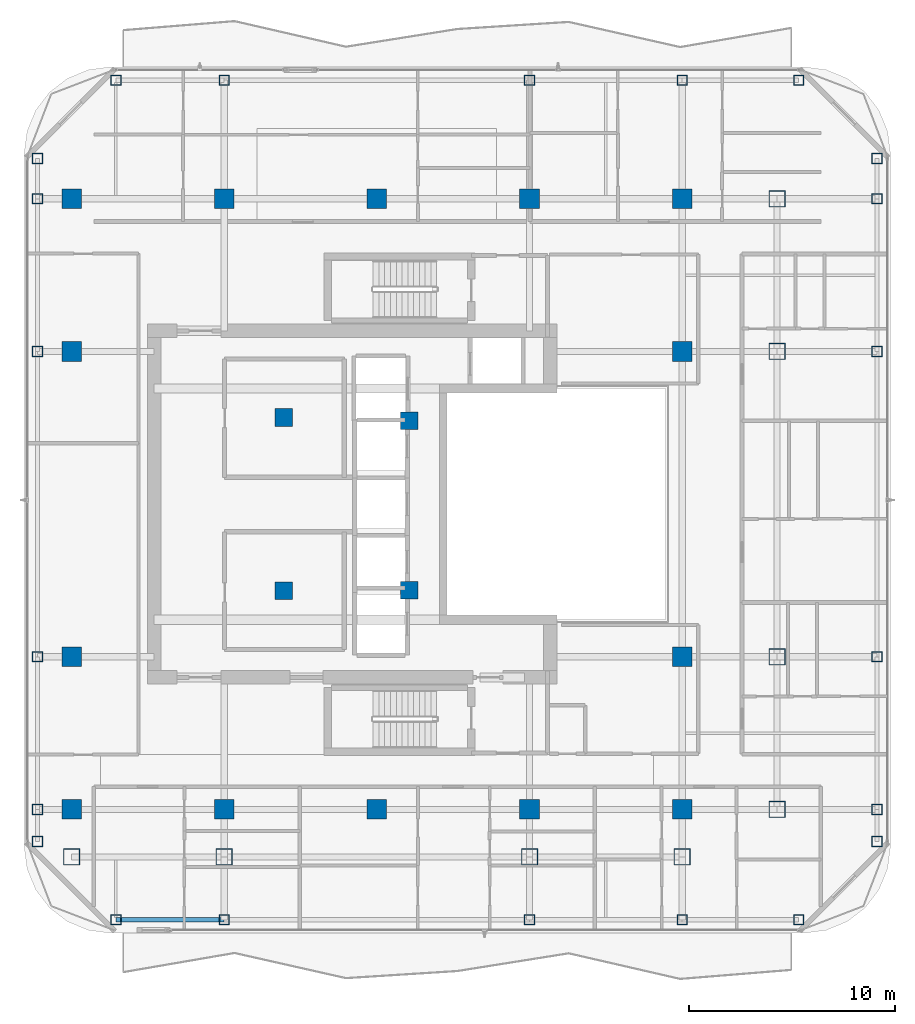
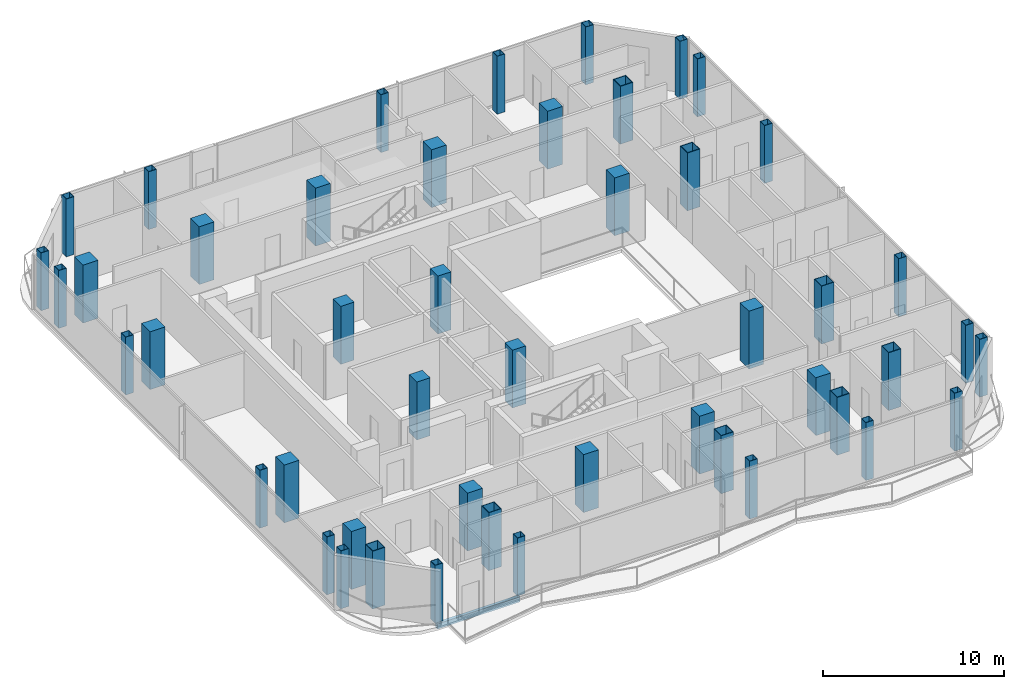
# One storey, part 1 of 26: 48 columns, 1 beam.
"""IFC4 building model written with IfcOpenShell, lengths in metres."""

import ifcopenshell
import ifcopenshell.guid

model = None  # the IFC model being written
_history = None  # IfcOwnerHistory: only IFC2X3 demands one
_inside = {}  # id of a spatial element -> (the spatial element, [elements in it])
_under = {}  # id of a project, library or spatial element -> (it, [spatial elements below it])
_declared = {}  # id of a project -> (the project, [libraries it declares])
_typed = {}  # id of a type object -> (the type object, [elements of that type])
_made_of = {}  # id of a material, layer set ... -> (it, [elements and type objects made of it])


def new_model(schema):
    """Start an empty IFC model of exactly this schema.

    Asked for "IFC4X3", IfcOpenShell would pick the latest addendum, in which some entities
    have other attributes; the version numbers below select the first issue.
    IFC2X3 requires an IfcOwnerHistory on every rooted entity: one is made here for all.
    """
    global model, _history
    if schema == "IFC4X3":
        model = ifcopenshell.file(schema_version=(4, 3, 0, 0))
    else:
        model = ifcopenshell.file(schema=schema)
    _inside.clear()
    _under.clear()
    _declared.clear()
    _typed.clear()
    _made_of.clear()
    _history = None
    if model.schema == "IFC2X3":
        org = make("IfcOrganization", Name="unknown")
        user = make(
            "IfcPersonAndOrganization",
            ThePerson=make("IfcPerson", FamilyName="unknown"),
            TheOrganization=org,
        )
        app = make(
            "IfcApplication",
            ApplicationDeveloper=org,
            Version="unknown",
            ApplicationFullName="unknown",
            ApplicationIdentifier="unknown",
        )
        _history = make(
            "IfcOwnerHistory",
            OwningUser=user,
            OwningApplication=app,
            ChangeAction="ADDED",
            CreationDate=0,
        )
    return model


def make(cls, **values):
    """One entity of the class cls with the attributes given. An attribute that is None is left unset."""
    return model.create_entity(
        cls, **{name: value for name, value in values.items() if value is not None}
    )


def rooted(cls, **values):
    """An entity with a GlobalId (a new one), such as an element, a storey or a relation."""
    return make(cls, GlobalId=ifcopenshell.guid.new(), OwnerHistory=_history, **values)


def si_unit(unit_type, name, prefix=None):
    """IfcSIUnit, for example si_unit("LENGTHUNIT", "METRE", prefix="MILLI")."""
    return make("IfcSIUnit", UnitType=unit_type, Prefix=prefix, Name=name)


def assignment(units):
    """IfcUnitAssignment: the units of a project."""
    return None if units is None else make("IfcUnitAssignment", Units=units)


def point(xyz):
    """IfcCartesianPoint."""
    return None if xyz is None else make("IfcCartesianPoint", Coordinates=xyz)


def direction(xyz):
    """IfcDirection."""
    return None if xyz is None else make("IfcDirection", DirectionRatios=xyz)


def frame(location, z_axis=None, x_axis=None):
    """IfcAxis2Placement3D, a coordinate frame: its origin and axes. An axis left out is left unset."""
    return make(
        "IfcAxis2Placement3D",
        Location=point(location),
        Axis=direction(z_axis),
        RefDirection=direction(x_axis),
    )


def frame_2d(location, x_axis=None):
    """IfcAxis2Placement2D, a coordinate frame in the plane: its origin and x axis."""
    return make(
        "IfcAxis2Placement2D", Location=point(location), RefDirection=direction(x_axis)
    )


def origin():
    """The frame at (0, 0, 0) with its axes left unset."""
    return frame((0.0, 0.0, 0.0))


def origin_2d():
    """The frame at (0, 0) in the plane with its x axis left unset."""
    return frame_2d((0.0, 0.0))


def place(relative_to, where):
    """IfcLocalPlacement: puts the frame where relative to a parent placement (None: the world)."""
    return make(
        "IfcLocalPlacement", PlacementRelTo=relative_to, RelativePlacement=where
    )


def context(
    kind, dimensions, precision=None, world=None, true_north=None, identifier=None
):
    """IfcGeometricRepresentationContext, for example the 3D "Model" context."""
    return make(
        "IfcGeometricRepresentationContext",
        ContextIdentifier=identifier,
        ContextType=kind,
        CoordinateSpaceDimension=dimensions,
        Precision=precision,
        WorldCoordinateSystem=world,
        TrueNorth=true_north,
    )


def subcontext(parent, identifier, kind, view, scale=None):
    """IfcGeometricRepresentationSubContext, for example "Body" below "Model"."""
    return make(
        "IfcGeometricRepresentationSubContext",
        ContextIdentifier=identifier,
        ContextType=kind,
        ParentContext=parent,
        TargetScale=scale,
        TargetView=view,
    )


def project(units=None, contexts=None):
    """IfcProject with its units and contexts."""
    return rooted(
        "IfcProject",
        Name="project",
        RepresentationContexts=contexts,
        UnitsInContext=assignment(units),
    )


def spatial(cls, under=None, at=None, **own):
    """A site, building, storey or space (cls), placed at a placement, below another one or the project."""
    s = rooted(cls, ObjectPlacement=at, **own)
    if under is not None:
        _under.setdefault(under.id(), (under, []))[1].append(s)
    return s


def profile(cls, at=None, kind="AREA", **sizes):
    """A parametric profile (cls). Its sizes go by their IFC names, for example OverallWidth=200.0."""
    return make(cls, ProfileType=kind, Position=at, **sizes)


def rectangle(**sizes):
    """IfcRectangleProfileDef."""
    return profile("IfcRectangleProfileDef", **sizes)


def hollow_rectangle(**sizes):
    """IfcRectangleHollowProfileDef."""
    return profile("IfcRectangleHollowProfileDef", **sizes)


def extrude(swept, where, along, depth):
    """IfcExtrudedAreaSolid: the profile swept, set in the frame where, extruded along a direction by depth."""
    return make(
        "IfcExtrudedAreaSolid",
        SweptArea=swept,
        Position=where,
        ExtrudedDirection=direction(along),
        Depth=depth,
    )


def shape(context_of_items, identifier, shape_type, items):
    """IfcShapeRepresentation: the items that make up one representation, for example the "Body"."""
    return make(
        "IfcShapeRepresentation",
        ContextOfItems=context_of_items,
        RepresentationIdentifier=identifier,
        RepresentationType=shape_type,
        Items=items,
    )


def material(Name=None, Category=None):
    """IfcMaterial."""
    return make("IfcMaterial", Name=Name, Category=Category)


def material_profile(
    of_material, cross_section, Name=None, Category=None, Priority=None
):
    """IfcMaterialProfile: a cross section and its material."""
    return make(
        "IfcMaterialProfile",
        Name=Name,
        Material=of_material,
        Profile=cross_section,
        Priority=Priority,
        Category=Category,
    )


def profile_set(profiles, Name=None, composite=None):
    """IfcMaterialProfileSet."""
    return make(
        "IfcMaterialProfileSet",
        Name=Name,
        MaterialProfiles=profiles,
        CompositeProfile=composite,
    )


def made_of(thing, what):
    """Note that an element or type object is made of a material, layer set ...; save() writes the relation."""
    if what is not None:
        _made_of.setdefault(what.id(), (what, []))[1].append(thing)
    return thing


def type_object(cls, material=None, **own):
    """A type object (cls), such as IfcWallType, which elements share."""
    return made_of(rooted(cls, **own), material)


def element(
    cls,
    number,
    at=None,
    inside=None,
    cuts=None,
    type_object=None,
    material=None,
    context=None,
    identifier="Body",
    shape_type=None,
    held_by="IfcProductDefinitionShape",
    body=None,
    shapes=None,
    **own,
):
    """One element of the class cls, such as IfcWall. Its Tag is "e" and its number.

    at: its placement. inside: the storey or other place that contains it. cuts: it is an
    opening in that element (IfcRelVoidsElement). A single representation is given by context,
    identifier, shape_type and body (its items); several are given by shapes. held_by: the class
    of the entity that holds the representations. save() writes the other relations.
    """
    e = rooted(cls, Tag="e%d" % number, ObjectPlacement=at, **own)
    if body is not None:
        shapes = [shape(context, identifier, shape_type, body)]
    if shapes is not None:
        e.Representation = make(held_by, Representations=shapes)
    if inside is not None:
        _inside.setdefault(inside.id(), (inside, []))[1].append(e)
    if cuts is not None:
        rooted(
            "IfcRelVoidsElement", RelatingBuildingElement=cuts, RelatedOpeningElement=e
        )
    if type_object is not None:
        _typed.setdefault(type_object.id(), (type_object, []))[1].append(e)
    return made_of(e, material)


def aggregate(whole, parts):
    """IfcRelAggregates: a whole, such as a stair, and the parts it consists of."""
    return rooted("IfcRelAggregates", RelatingObject=whole, RelatedObjects=parts)


def save(model, path):
    """Write the relations noted so far, then the file.

    IfcRelAggregates (storeys below a building ...), IfcRelContainedInSpatialStructure (elements
    in a storey), IfcRelDefinesByType, IfcRelAssociatesMaterial and IfcRelDeclares: one each for
    every whole, place, type object, material and project.
    """
    for whole, parts in _under.values():
        aggregate(whole, parts)
    for where, things in _inside.values():
        rooted(
            "IfcRelContainedInSpatialStructure",
            RelatedElements=things,
            RelatingStructure=where,
        )
    for kind, things in _typed.values():
        rooted("IfcRelDefinesByType", RelatedObjects=things, RelatingType=kind)
    for what, things in _made_of.values():
        rooted("IfcRelAssociatesMaterial", RelatedObjects=things, RelatingMaterial=what)
    for by, libraries in _declared.values():
        rooted("IfcRelDeclares", RelatingContext=by, RelatedDefinitions=libraries)
    model.write(path)


model = new_model("IFC4")

# Units and contexts
model_context = context("Model", 3, precision=1e-05, world=origin(), true_north=direction((0.0, 1.0)))
body_context = subcontext(model_context, "Body", "Model", "MODEL_VIEW")
ifc_project = project(units=[si_unit("LENGTHUNIT", "METRE"), si_unit("AREAUNIT", "SQUARE_METRE"), si_unit("VOLUMEUNIT", "CUBIC_METRE"), si_unit("PLANEANGLEUNIT", "RADIAN"), si_unit("MASSUNIT", "GRAM", prefix="KILO")], contexts=[model_context])

# Site, building, storey
site_placement = place(None, origin())
site = spatial("IfcSite", under=ifc_project, at=site_placement, CompositionType="ELEMENT")
building_placement = place(site_placement, origin())
building = spatial("IfcBuilding", under=site, at=building_placement, Name="Khorvyn Point Tower", CompositionType="ELEMENT")
storey_placement = place(building_placement, frame((0.0, 0.0, 262.5)))
storey = spatial("IfcBuildingStorey", under=building, at=storey_placement, Name="L64", CompositionType="ELEMENT", Elevation=262.5)

# Columns
ifc_material_1 = material(Name="Concrete C40/50", Category="concrete")
ifc_material_profile_1 = material_profile(ifc_material_1, rectangle(XDim=0.85009765625, YDim=0.85009765625, at=origin_2d()))
ifc_profile_set_1 = profile_set([ifc_material_profile_1], Name="Concrete C40/50 RC850x850")
column_type_1 = type_object("IfcColumnType", Name="Concrete C40/50 Column RC850x850", PredefinedType="COLUMN", material=ifc_profile_set_1)
for number, where, z_axis, x_axis, name in (
    (1, (-4.52001953125, -4.199951171875, 0.0), (0.0, 0.0, 1.0), (1.0, 0.0, 0.0), "L64 Crown Core Spine Column 1"),
    (2, (1.580078125, -4.179931640625, 0.0), (0.0, 0.0, 1.0), (1.0, 0.0, 0.0), "L64 Crown Core Spine Column 2"),
    (3, (1.580078125, 4.050048828125, 0.0), (0.0, 0.0, 1.0), (1.0, 0.0, 0.0), "L64 Crown Core Spine Column 3"),
    (4, (-4.52001953125, 4.199951171875, 0.0), (0.0, 0.0, 1.0), (1.0, 0.0, 0.0), "L64 Crown Core Spine Column 4"),
):
    element("IfcColumn", number, at=place(storey_placement, frame(where, z_axis=z_axis, x_axis=x_axis)), inside=storey, type_object=column_type_1, Name=name, PredefinedType="COLUMN", context=body_context, shape_type="SweptSolid", body=[
        extrude(rectangle(XDim=0.85009765625, YDim=0.85009765625, at=origin_2d()), origin(), (0.0, 0.0, 1.0), 3.89990234375),
    ])
ifc_material_profile_2 = material_profile(ifc_material_1, rectangle(XDim=0.949951171875, YDim=0.949951171875, at=origin_2d()))
ifc_profile_set_2 = profile_set([ifc_material_profile_2], Name="Concrete C40/50 RC950x950")
column_type_2 = type_object("IfcColumnType", Name="Concrete C40/50 Column RC950x950", PredefinedType="COLUMN", material=ifc_profile_set_2)
for number, where, z_axis, x_axis, name in (
    (5, (-14.800048828125, -14.800048828125, 0.0), (0.0, 0.0, 1.0), (1.0, 0.0, 0.0), "L64 Mega-Column MC-01"),
    (6, (-7.39990234375, -14.800048828125, 0.0), (0.0, 0.0, 1.0), (1.0, 0.0, 0.0), "L64 Mega-Column MC-02"),
    (7, (0.0, -14.800048828125, 0.0), (0.0, 0.0, 1.0), (1.0, 0.0, 0.0), "L64 Mega-Column MC-03"),
    (8, (7.39990234375, -14.800048828125, 0.0), (0.0, 0.0, 1.0), (1.0, 0.0, 0.0), "L64 Mega-Column MC-04"),
    (9, (14.800048828125, -14.800048828125, 0.0), (0.0, 0.0, 1.0), (1.0, 0.0, 0.0), "L64 Mega-Column MC-05"),
    (10, (-14.800048828125, 14.800048828125, 0.0), (0.0, 0.0, 1.0), (1.0, 0.0, 0.0), "L64 Mega-Column MC-06"),
    (11, (-7.39990234375, 14.800048828125, 0.0), (0.0, 0.0, 1.0), (1.0, 0.0, 0.0), "L64 Mega-Column MC-07"),
    (12, (0.0, 14.800048828125, 0.0), (0.0, 0.0, 1.0), (1.0, 0.0, 0.0), "L64 Mega-Column MC-08"),
    (13, (7.39990234375, 14.800048828125, 0.0), (0.0, 0.0, 1.0), (1.0, 0.0, 0.0), "L64 Mega-Column MC-09"),
    (14, (14.800048828125, 14.800048828125, 0.0), (0.0, 0.0, 1.0), (1.0, 0.0, 0.0), "L64 Mega-Column MC-10"),
    (15, (-14.800048828125, -7.39990234375, 0.0), (0.0, 0.0, 1.0), (1.0, 0.0, 0.0), "L64 Mega-Column MC-11"),
    (16, (-14.800048828125, 7.39990234375, 0.0), (0.0, 0.0, 1.0), (1.0, 0.0, 0.0), "L64 Mega-Column MC-12"),
    (17, (14.800048828125, -7.39990234375, 0.0), (0.0, 0.0, 1.0), (1.0, 0.0, 0.0), "L64 Mega-Column MC-13"),
    (18, (14.800048828125, 7.39990234375, 0.0), (0.0, 0.0, 1.0), (1.0, 0.0, 0.0), "L64 Mega-Column MC-14"),
):
    element("IfcColumn", number, at=place(storey_placement, frame(where, z_axis=z_axis, x_axis=x_axis)), inside=storey, type_object=column_type_2, Name=name, PredefinedType="COLUMN", context=body_context, shape_type="SweptSolid", body=[
        extrude(rectangle(XDim=0.949951171875, YDim=0.949951171875, at=origin_2d()), origin(), (0.0, 0.0, 1.0), 3.89990234375),
    ])
ifc_material_2 = material(Name="Steel S355", Category="steel")
ifc_material_profile_3 = material_profile(ifc_material_2, hollow_rectangle(XDim=0.5, YDim=0.5, WallThickness=0.02490234375, at=origin_2d()))
ifc_profile_set_3 = profile_set([ifc_material_profile_3], Name="Steel S355 BOX500x500x25")
column_type_3 = type_object("IfcColumnType", Name="Steel S355 Structural Column BOX500x500x25", PredefinedType="COLUMN", material=ifc_profile_set_3)
for number, where, z_axis, x_axis, name in (
    (19, (-12.64990234375, -20.14990234375, 0.0), (0.0, 0.0, 1.0), (1.0, 0.0, 0.0), "L64 Perimeter Tube Column TC-01"),
    (20, (20.449951171875, -20.14990234375, 0.0), (0.0, 0.0, 1.0), (1.0, 0.0, 0.0), "L64 Perimeter Tube Column TC-02"),
    (21, (-12.64990234375, 20.550048828125, 0.0), (0.0, 0.0, 1.0), (1.0, 0.0, 0.0), "L64 Perimeter Tube Column TC-03"),
    (22, (20.449951171875, 20.550048828125, 0.0), (0.0, 0.0, 1.0), (1.0, 0.0, 0.0), "L64 Perimeter Tube Column TC-04"),
    (23, (-16.449951171875, -16.35009765625, 0.0), (0.0, 0.0, 1.0), (1.0, 0.0, 0.0), "L64 Perimeter Tube Column TC-05"),
    (24, (-16.449951171875, 16.75, 0.0), (0.0, 0.0, 1.0), (1.0, 0.0, 0.0), "L64 Perimeter Tube Column TC-06"),
    (25, (24.25, -16.35009765625, 0.0), (0.0, 0.0, 1.0), (1.0, 0.0, 0.0), "L64 Perimeter Tube Column TC-07"),
    (26, (24.25, 16.75, 0.0), (0.0, 0.0, 1.0), (1.0, 0.0, 0.0), "L64 Perimeter Tube Column TC-08"),
    (27, (-7.39990234375, -20.14990234375, 0.0), (0.0, 0.0, 1.0), (1.0, 0.0, 0.0), "L64 Perimeter Tube Column TC-09"),
    (28, (-7.39990234375, 20.550048828125, 0.0), (0.0, 0.0, 1.0), (1.0, 0.0, 0.0), "L64 Perimeter Tube Column TC-10"),
    (29, (7.39990234375, -20.14990234375, 0.0), (0.0, 0.0, 1.0), (1.0, 0.0, 0.0), "L64 Perimeter Tube Column TC-11"),
    (30, (7.39990234375, 20.550048828125, 0.0), (0.0, 0.0, 1.0), (1.0, 0.0, 0.0), "L64 Perimeter Tube Column TC-12"),
    (31, (14.800048828125, -20.14990234375, 0.0), (0.0, 0.0, 1.0), (1.0, 0.0, 0.0), "L64 Perimeter Tube Column TC-13"),
    (32, (14.800048828125, 20.550048828125, 0.0), (0.0, 0.0, 1.0), (1.0, 0.0, 0.0), "L64 Perimeter Tube Column TC-14"),
    (33, (-16.449951171875, -14.800048828125, 0.0), (0.0, 0.0, 1.0), (1.0, 0.0, 0.0), "L64 Perimeter Tube Column TC-15"),
    (34, (24.25, -14.800048828125, 0.0), (0.0, 0.0, 1.0), (1.0, 0.0, 0.0), "L64 Perimeter Tube Column TC-16"),
    (35, (-16.449951171875, -7.39990234375, 0.0), (0.0, 0.0, 1.0), (1.0, 0.0, 0.0), "L64 Perimeter Tube Column TC-17"),
    (36, (24.25, -7.39990234375, 0.0), (0.0, 0.0, 1.0), (1.0, 0.0, 0.0), "L64 Perimeter Tube Column TC-18"),
    (37, (-16.449951171875, 7.39990234375, 0.0), (0.0, 0.0, 1.0), (1.0, 0.0, 0.0), "L64 Perimeter Tube Column TC-19"),
    (38, (24.25, 7.39990234375, 0.0), (0.0, 0.0, 1.0), (1.0, 0.0, 0.0), "L64 Perimeter Tube Column TC-20"),
    (39, (-16.449951171875, 14.800048828125, 0.0), (0.0, 0.0, 1.0), (1.0, 0.0, 0.0), "L64 Perimeter Tube Column TC-21"),
    (40, (24.25, 14.800048828125, 0.0), (0.0, 0.0, 1.0), (1.0, 0.0, 0.0), "L64 Perimeter Tube Column TC-22"),
):
    element("IfcColumn", number, at=place(storey_placement, frame(where, z_axis=z_axis, x_axis=x_axis)), inside=storey, type_object=column_type_3, Name=name, PredefinedType="COLUMN", context=body_context, shape_type="SweptSolid", body=[
        extrude(hollow_rectangle(XDim=0.5, YDim=0.5, WallThickness=0.02490234375, at=origin_2d()), origin(), (0.0, 0.0, 1.0), 3.89990234375),
    ])
ifc_material_3 = material(Name="Steel S450", Category="steel")
ifc_material_profile_4 = material_profile(ifc_material_3, hollow_rectangle(XDim=0.800048828125, YDim=0.800048828125, WallThickness=0.035888671875, at=origin_2d()))
ifc_profile_set_4 = profile_set([ifc_material_profile_4], Name="Steel S450 BOX800x800x36")
column_type_4 = type_object("IfcColumnType", Name="Steel S450 Structural Column BOX800x800x36", PredefinedType="COLUMN", material=ifc_profile_set_4)
for number, where, z_axis, x_axis, name in (
    (41, (19.39990234375, -14.800048828125, 0.0), (0.0, 0.0, 1.0), (1.0, 0.0, 0.0), "L64 Intermediate Column ICE--14"),
    (42, (19.39990234375, -7.39990234375, 0.0), (0.0, 0.0, 1.0), (1.0, 0.0, 0.0), "L64 Intermediate Column ICE--7"),
    (43, (19.39990234375, 7.39990234375, 0.0), (0.0, 0.0, 1.0), (1.0, 0.0, 0.0), "L64 Intermediate Column ICE-7"),
    (44, (19.39990234375, 14.800048828125, 0.0), (0.0, 0.0, 1.0), (1.0, 0.0, 0.0), "L64 Intermediate Column ICE-14"),
    (45, (-14.800048828125, -17.10009765625, 0.0), (0.0, 0.0, 1.0), (1.0, 0.0, 0.0), "L64 Intermediate Column ICS--14"),
    (46, (-7.39990234375, -17.10009765625, 0.0), (0.0, 0.0, 1.0), (1.0, 0.0, 0.0), "L64 Intermediate Column ICS--7"),
    (47, (7.39990234375, -17.10009765625, 0.0), (0.0, 0.0, 1.0), (1.0, 0.0, 0.0), "L64 Intermediate Column ICS-7"),
    (48, (14.800048828125, -17.10009765625, 0.0), (0.0, 0.0, 1.0), (1.0, 0.0, 0.0), "L64 Intermediate Column ICS-14"),
):
    element("IfcColumn", number, at=place(storey_placement, frame(where, z_axis=z_axis, x_axis=x_axis)), inside=storey, type_object=column_type_4, Name=name, PredefinedType="COLUMN", context=body_context, shape_type="SweptSolid", body=[
        extrude(hollow_rectangle(XDim=0.800048828125, YDim=0.800048828125, WallThickness=0.035888671875, at=origin_2d()), origin(), (0.0, 0.0, 1.0), 3.89990234375),
    ])

# Beam
ifc_material_profile_5 = material_profile(ifc_material_2, hollow_rectangle(XDim=0.199951171875, YDim=0.35009765625, WallThickness=0.013916015625, at=origin_2d()))
ifc_profile_set_5 = profile_set([ifc_material_profile_5], Name="Steel S355 RHS350x200x14")
beam_type = type_object("IfcBeamType", Name="Steel S355 Spandrel RHS350x200x14", PredefinedType="SPANDREL", material=ifc_profile_set_5)
beam_placement = place(storey_placement, frame((-12.64990234375, -20.14990234375, -0.39501953125), z_axis=(1.0, 0.0, 0.0), x_axis=(0.0, 1.0, 0.0)))
element("IfcBeam", 49, at=beam_placement, inside=storey, type_object=beam_type, Name="Beam", PredefinedType="SPANDREL", context=body_context, shape_type="SweptSolid", body=[
    extrude(hollow_rectangle(XDim=0.199951171875, YDim=0.35009765625, WallThickness=0.013916015625, at=origin_2d()), origin(), (0.0, 0.0, 1.0), 5.25),
])

save(model, "model.ifc")
